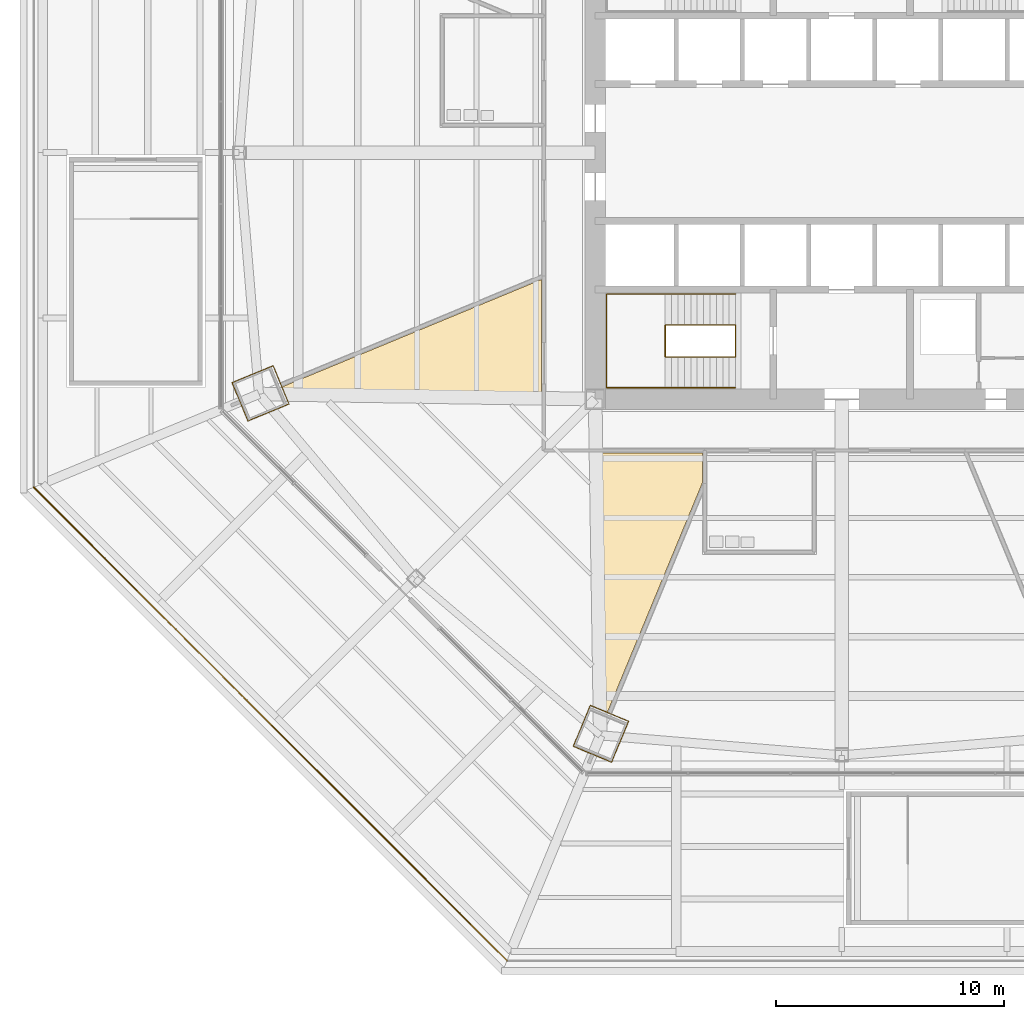
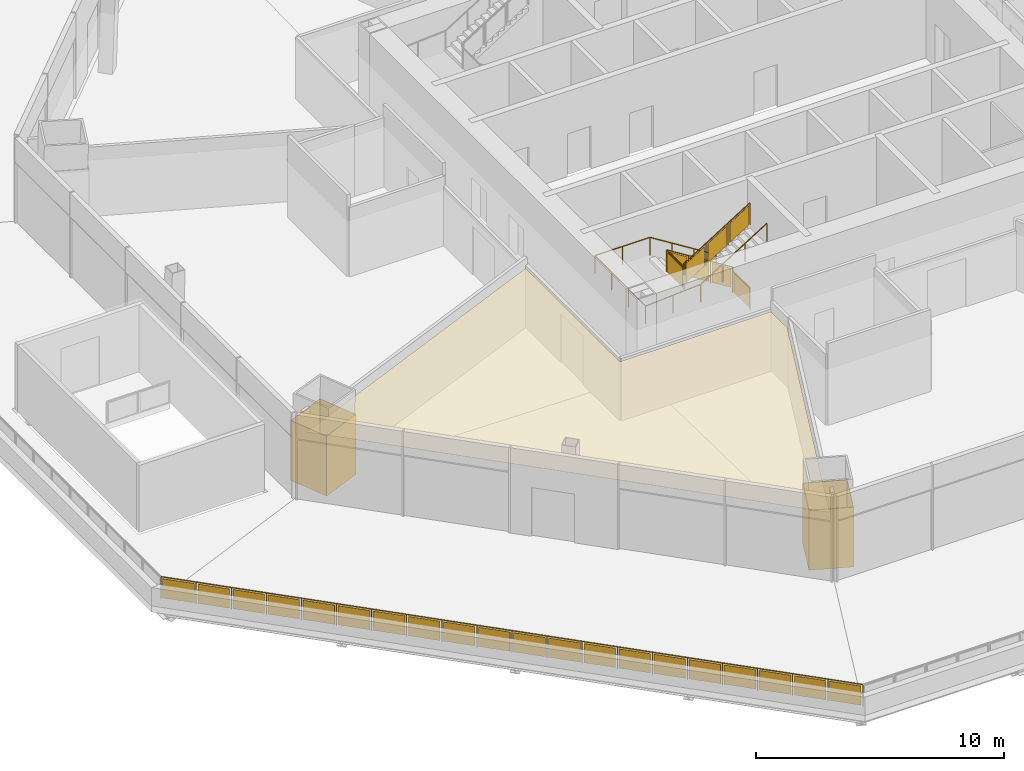
# One storey, part 19 of 25: 3 coverings, 3 railings.
"""IFC4 building model written with IfcOpenShell, lengths in metres."""

from ifc_helpers import new_model, si_unit, direction, frame, origin, origin_2d, place, context, subcontext, project, spatial, polyline, circle, outline, extrude, material, layer, layer_set, type_object, element, save


model = new_model("IFC4")

# Units and contexts
model_context = context("Model", 3, precision=1e-05, world=origin(), true_north=direction((0.0, 1.0)))
body_context = subcontext(model_context, "Body", "Model", "MODEL_VIEW")
ifc_project = project(units=[si_unit("LENGTHUNIT", "METRE"), si_unit("AREAUNIT", "SQUARE_METRE"), si_unit("VOLUMEUNIT", "CUBIC_METRE"), si_unit("PLANEANGLEUNIT", "RADIAN"), si_unit("MASSUNIT", "GRAM", prefix="KILO")], contexts=[model_context])

# Site, building, storey
site_placement = place(None, origin())
site = spatial("IfcSite", under=ifc_project, at=site_placement, CompositionType="ELEMENT")
building_placement = place(site_placement, origin())
building = spatial("IfcBuilding", under=site, at=building_placement, Name="Mashrafa Tower", CompositionType="ELEMENT")
storey_placement = place(building_placement, frame((0.0, 0.0, 28.800048828125)))
storey = spatial("IfcBuildingStorey", under=building, at=storey_placement, Name="L05", CompositionType="ELEMENT", Elevation=28.800048828125)

# Coverings
ifc_material_1 = material(Name="Gypsum board")
ifc_layer_1 = layer(ifc_material_1, 0.014892578125)
ifc_layer_set_1 = layer_set([ifc_layer_1], Name="Column casing plasterboard 15")
covering_type_1 = type_object("IfcCoveringType", Name="Column casing plasterboard 15", PredefinedType="CLADDING", material=ifc_layer_set_1)
covering_1_placement = place(storey_placement, origin())
element("IfcCovering", 1, at=covering_1_placement, inside=storey, type_object=covering_type_1, Name="Column casing L05-005", PredefinedType="CLADDING", context=body_context, shape_type="SweptSolid", body=[
    extrude(outline(polyline([(-26.7177734375, -10.076416015625), (-26.5849609375, -10.021484375), (-24.907470703125, -9.32666015625), (-24.20703125, -11.017333984375), (-24.33984375, -11.072265625), (-26.017333984375, -11.76708984375), (-26.7177734375, -10.076416015625)]), holes=[polyline([(-24.345458984375, -11.058349609375), (-24.226806640625, -11.00927734375), (-24.91552734375, -9.34619140625), (-26.579345703125, -10.035400390625), (-26.697998046875, -10.084716796875), (-26.00927734375, -11.74755859375), (-24.345458984375, -11.058349609375)])]), origin(), (0.0, 0.0, 1.0), 2.949951171875),
])
covering_2_placement = place(storey_placement, origin())
element("IfcCovering", 2, at=covering_2_placement, inside=storey, type_object=covering_type_1, Name="Column casing L05-006", PredefinedType="CLADDING", context=body_context, shape_type="SweptSolid", body=[
    extrude(outline(polyline([(-11.76708984375, -26.017333984375), (-11.072265625, -24.33984375), (-11.017333984375, -24.20703125), (-9.32666015625, -24.907470703125), (-10.021484375, -26.5849609375), (-10.076416015625, -26.7177734375), (-11.76708984375, -26.017333984375)]), holes=[polyline([(-10.035400390625, -26.579345703125), (-9.34619140625, -24.91552734375), (-11.00927734375, -24.226806640625), (-11.058349609375, -24.345458984375), (-11.74755859375, -26.00927734375), (-10.084716796875, -26.697998046875), (-10.035400390625, -26.579345703125)])]), origin(), (0.0, 0.0, 1.0), 2.949951171875),
])

# Railings
ifc_material_2 = material(Name="Stainless steel guard with glass infill", Category="steel")
railing_type_1 = type_object("IfcRailingType", Name="Roof garden guard 1100 high", PredefinedType="GUARDRAIL", material=ifc_material_2)
railing_1_placement = place(storey_placement, frame((-35.39990234375, -14.6630859375, 0.0)))
element("IfcRailing", 3, at=railing_1_placement, inside=storey, type_object=railing_type_1, Name="Roof garden guard L05 south-west", PredefinedType="GUARDRAIL", context=body_context, shape_type="SweptSolid", body=[
    extrude(circle(Radius=0.02392578125, at=origin_2d()), frame((0.0, 0.0, 1.076171875), z_axis=(0.707106781187, -0.707106781187, 0.0), x_axis=(0.707106781187, 0.707106781187, 0.0)), (0.0, 0.0, 1.0), 29.326171875),
    extrude(circle(Radius=0.02099609375, at=origin_2d()), origin(), (0.0, 0.0, 1.0), 1.052001953125),
    extrude(circle(Radius=0.02099609375, at=origin_2d()), frame((1.036865234375, -1.036865234375, 0.0)), (0.0, 0.0, 1.0), 1.052001953125),
    extrude(circle(Radius=0.02099609375, at=origin_2d()), frame((2.07373046875, -2.07373046875, 0.0)), (0.0, 0.0, 1.0), 1.052001953125),
    extrude(circle(Radius=0.02099609375, at=origin_2d()), frame((3.110595703125, -3.110595703125, 0.0)), (0.0, 0.0, 1.0), 1.052001953125),
    extrude(circle(Radius=0.02099609375, at=origin_2d()), frame((4.1474609375, -4.1474609375, 0.0)), (0.0, 0.0, 1.0), 1.052001953125),
    extrude(circle(Radius=0.02099609375, at=origin_2d()), frame((5.18408203125, -5.18408203125, 0.0)), (0.0, 0.0, 1.0), 1.052001953125),
    extrude(circle(Radius=0.02099609375, at=origin_2d()), frame((6.220947265625, -6.220947265625, 0.0)), (0.0, 0.0, 1.0), 1.052001953125),
    extrude(circle(Radius=0.02099609375, at=origin_2d()), frame((7.2578125, -7.2578125, 0.0)), (0.0, 0.0, 1.0), 1.052001953125),
    extrude(circle(Radius=0.02099609375, at=origin_2d()), frame((8.294677734375, -8.294677734375, 0.0)), (0.0, 0.0, 1.0), 1.052001953125),
    extrude(circle(Radius=0.02099609375, at=origin_2d()), frame((9.33154296875, -9.33154296875, 0.0)), (0.0, 0.0, 1.0), 1.052001953125),
    extrude(circle(Radius=0.02099609375, at=origin_2d()), frame((10.368408203125, -10.368408203125, 0.0)), (0.0, 0.0, 1.0), 1.052001953125),
    extrude(circle(Radius=0.02099609375, at=origin_2d()), frame((11.4052734375, -11.4052734375, 0.0)), (0.0, 0.0, 1.0), 1.052001953125),
    extrude(circle(Radius=0.02099609375, at=origin_2d()), frame((12.442138671875, -12.442138671875, 0.0)), (0.0, 0.0, 1.0), 1.052001953125),
    extrude(circle(Radius=0.02099609375, at=origin_2d()), frame((13.47900390625, -13.47900390625, 0.0)), (0.0, 0.0, 1.0), 1.052001953125),
    extrude(circle(Radius=0.02099609375, at=origin_2d()), frame((14.515869140625, -14.515869140625, 0.0)), (0.0, 0.0, 1.0), 1.052001953125),
    extrude(circle(Radius=0.02099609375, at=origin_2d()), frame((15.552734375, -15.552734375, 0.0)), (0.0, 0.0, 1.0), 1.052001953125),
    extrude(circle(Radius=0.02099609375, at=origin_2d()), frame((16.58935546875, -16.58935546875, 0.0)), (0.0, 0.0, 1.0), 1.052001953125),
    extrude(circle(Radius=0.02099609375, at=origin_2d()), frame((17.626220703125, -17.626220703125, 0.0)), (0.0, 0.0, 1.0), 1.052001953125),
    extrude(circle(Radius=0.02099609375, at=origin_2d()), frame((18.6630859375, -18.6630859375, 0.0)), (0.0, 0.0, 1.0), 1.052001953125),
    extrude(circle(Radius=0.02099609375, at=origin_2d()), frame((19.699951171875, -19.699951171875, 0.0)), (0.0, 0.0, 1.0), 1.052001953125),
    extrude(circle(Radius=0.02099609375, at=origin_2d()), frame((20.73681640625, -20.73681640625, 0.0)), (0.0, 0.0, 1.0), 1.052001953125),
    extrude(outline(polyline([(0.071044921875, 0.050048828125), (1.395263671875, 0.050048828125), (1.395263671875, 1.001953125), (0.071044921875, 1.001953125), (0.071044921875, 0.050048828125)])), frame((-0.004150390625, -0.004150390625, 0.0), z_axis=(-0.707106781187, -0.707106781187, 0.0), x_axis=(0.707106781187, -0.707106781187, 0.0)), (0.0, 0.0, 1.0), 0.011962890625),
    extrude(outline(polyline([(1.537353515625, 0.050048828125), (2.861572265625, 0.050048828125), (2.861572265625, 1.001953125), (1.537353515625, 1.001953125), (1.537353515625, 0.050048828125)])), frame((-0.004150390625, -0.004150390625, 0.0), z_axis=(-0.707106781187, -0.707106781187, 0.0), x_axis=(0.707106781187, -0.707106781187, 0.0)), (0.0, 0.0, 1.0), 0.011962890625),
    extrude(outline(polyline([(3.003662109375, 0.050048828125), (4.327880859375, 0.050048828125), (4.327880859375, 1.001953125), (3.003662109375, 1.001953125), (3.003662109375, 0.050048828125)])), frame((-0.004150390625, -0.004150390625, 0.0), z_axis=(-0.707106781187, -0.707106781187, 0.0), x_axis=(0.707106781187, -0.707106781187, 0.0)), (0.0, 0.0, 1.0), 0.011962890625),
    extrude(outline(polyline([(4.469970703125, 0.050048828125), (5.794189453125, 0.050048828125), (5.794189453125, 1.001953125), (4.469970703125, 1.001953125), (4.469970703125, 0.050048828125)])), frame((-0.004150390625, -0.004150390625, 0.0), z_axis=(-0.707106781187, -0.707106781187, 0.0), x_axis=(0.707106781187, -0.707106781187, 0.0)), (0.0, 0.0, 1.0), 0.011962890625),
    extrude(outline(polyline([(5.936279296875, 0.050048828125), (7.260498046875, 0.050048828125), (7.260498046875, 1.001953125), (5.936279296875, 1.001953125), (5.936279296875, 0.050048828125)])), frame((-0.004150390625, -0.004150390625, 0.0), z_axis=(-0.707106781187, -0.707106781187, 0.0), x_axis=(0.707106781187, -0.707106781187, 0.0)), (0.0, 0.0, 1.0), 0.011962890625),
    extrude(outline(polyline([(7.402587890625, 0.050048828125), (8.726806640625, 0.050048828125), (8.726806640625, 1.001953125), (7.402587890625, 1.001953125), (7.402587890625, 0.050048828125)])), frame((-0.004150390625, -0.004150390625, 0.0), z_axis=(-0.707106781187, -0.707106781187, 0.0), x_axis=(0.707106781187, -0.707106781187, 0.0)), (0.0, 0.0, 1.0), 0.011962890625),
    extrude(outline(polyline([(8.868896484375, 0.050048828125), (10.193115234375, 0.050048828125), (10.193115234375, 1.001953125), (8.868896484375, 1.001953125), (8.868896484375, 0.050048828125)])), frame((-0.004150390625, -0.004150390625, 0.0), z_axis=(-0.707106781187, -0.707106781187, 0.0), x_axis=(0.707106781187, -0.707106781187, 0.0)), (0.0, 0.0, 1.0), 0.011962890625),
    extrude(outline(polyline([(10.335205078125, 0.050048828125), (11.659423828125, 0.050048828125), (11.659423828125, 1.001953125), (10.335205078125, 1.001953125), (10.335205078125, 0.050048828125)])), frame((-0.004150390625, -0.004150390625, 0.0), z_axis=(-0.707106781187, -0.707106781187, 0.0), x_axis=(0.707106781187, -0.707106781187, 0.0)), (0.0, 0.0, 1.0), 0.011962890625),
    extrude(outline(polyline([(11.801513671875, 0.050048828125), (13.125732421875, 0.050048828125), (13.125732421875, 1.001953125), (11.801513671875, 1.001953125), (11.801513671875, 0.050048828125)])), frame((-0.004150390625, -0.004150390625, 0.0), z_axis=(-0.707106781187, -0.707106781187, 0.0), x_axis=(0.707106781187, -0.707106781187, 0.0)), (0.0, 0.0, 1.0), 0.011962890625),
    extrude(outline(polyline([(13.267822265625, 0.050048828125), (14.592041015625, 0.050048828125), (14.592041015625, 1.001953125), (13.267822265625, 1.001953125), (13.267822265625, 0.050048828125)])), frame((-0.004150390625, -0.004150390625, 0.0), z_axis=(-0.707106781187, -0.707106781187, 0.0), x_axis=(0.707106781187, -0.707106781187, 0.0)), (0.0, 0.0, 1.0), 0.011962890625),
    extrude(outline(polyline([(14.734130859375, 0.050048828125), (16.058349609375, 0.050048828125), (16.058349609375, 1.001953125), (14.734130859375, 1.001953125), (14.734130859375, 0.050048828125)])), frame((-0.004150390625, -0.004150390625, 0.0), z_axis=(-0.707106781187, -0.707106781187, 0.0), x_axis=(0.707106781187, -0.707106781187, 0.0)), (0.0, 0.0, 1.0), 0.011962890625),
    extrude(outline(polyline([(16.200439453125, 0.050048828125), (17.524658203125, 0.050048828125), (17.524658203125, 1.001953125), (16.200439453125, 1.001953125), (16.200439453125, 0.050048828125)])), frame((-0.004150390625, -0.004150390625, 0.0), z_axis=(-0.707106781187, -0.707106781187, 0.0), x_axis=(0.707106781187, -0.707106781187, 0.0)), (0.0, 0.0, 1.0), 0.011962890625),
    extrude(outline(polyline([(17.666748046875, 0.050048828125), (18.9912109375, 0.050048828125), (18.9912109375, 1.001953125), (17.666748046875, 1.001953125), (17.666748046875, 0.050048828125)])), frame((-0.004150390625, -0.004150390625, 0.0), z_axis=(-0.707106781187, -0.707106781187, 0.0), x_axis=(0.707106781187, -0.707106781187, 0.0)), (0.0, 0.0, 1.0), 0.011962890625),
    extrude(outline(polyline([(19.133056640625, 0.050048828125), (20.45751953125, 0.050048828125), (20.45751953125, 1.001953125), (19.133056640625, 1.001953125), (19.133056640625, 0.050048828125)])), frame((-0.004150390625, -0.004150390625, 0.0), z_axis=(-0.707106781187, -0.707106781187, 0.0), x_axis=(0.707106781187, -0.707106781187, 0.0)), (0.0, 0.0, 1.0), 0.011962890625),
    extrude(outline(polyline([(20.599365234375, 0.050048828125), (21.923828125, 0.050048828125), (21.923828125, 1.001953125), (20.599365234375, 1.001953125), (20.599365234375, 0.050048828125)])), frame((-0.004150390625, -0.004150390625, 0.0), z_axis=(-0.707106781187, -0.707106781187, 0.0), x_axis=(0.707106781187, -0.707106781187, 0.0)), (0.0, 0.0, 1.0), 0.011962890625),
    extrude(outline(polyline([(22.065673828125, 0.050048828125), (23.39013671875, 0.050048828125), (23.39013671875, 1.001953125), (22.065673828125, 1.001953125), (22.065673828125, 0.050048828125)])), frame((-0.004150390625, -0.004150390625, 0.0), z_axis=(-0.707106781187, -0.707106781187, 0.0), x_axis=(0.707106781187, -0.707106781187, 0.0)), (0.0, 0.0, 1.0), 0.011962890625),
    extrude(outline(polyline([(23.531982421875, 0.050048828125), (24.8564453125, 0.050048828125), (24.8564453125, 1.001953125), (23.531982421875, 1.001953125), (23.531982421875, 0.050048828125)])), frame((-0.004150390625, -0.004150390625, 0.0), z_axis=(-0.707106781187, -0.707106781187, 0.0), x_axis=(0.707106781187, -0.707106781187, 0.0)), (0.0, 0.0, 1.0), 0.011962890625),
    extrude(outline(polyline([(24.998291015625, 0.050048828125), (26.32275390625, 0.050048828125), (26.32275390625, 1.001953125), (24.998291015625, 1.001953125), (24.998291015625, 0.050048828125)])), frame((-0.004150390625, -0.004150390625, 0.0), z_axis=(-0.707106781187, -0.707106781187, 0.0), x_axis=(0.707106781187, -0.707106781187, 0.0)), (0.0, 0.0, 1.0), 0.011962890625),
    extrude(outline(polyline([(26.464599609375, 0.050048828125), (27.7890625, 0.050048828125), (27.7890625, 1.001953125), (26.464599609375, 1.001953125), (26.464599609375, 0.050048828125)])), frame((-0.004150390625, -0.004150390625, 0.0), z_axis=(-0.707106781187, -0.707106781187, 0.0), x_axis=(0.707106781187, -0.707106781187, 0.0)), (0.0, 0.0, 1.0), 0.011962890625),
    extrude(outline(polyline([(27.930908203125, 0.050048828125), (29.25537109375, 0.050048828125), (29.25537109375, 1.001953125), (27.930908203125, 1.001953125), (27.930908203125, 0.050048828125)])), frame((-0.004150390625, -0.004150390625, 0.0), z_axis=(-0.707106781187, -0.707106781187, 0.0), x_axis=(0.707106781187, -0.707106781187, 0.0)), (0.0, 0.0, 1.0), 0.011962890625),
])
ifc_material_3 = material(Name="Steel guard with glass infill", Category="steel")
railing_type_2 = type_object("IfcRailingType", Name="Stair guard 1100", PredefinedType="GUARDRAIL", material=ifc_material_3)
railing_2_placement = place(storey_placement, frame((-4.64990234375, -8.949951171875, 0.0)))
element("IfcRailing", 4, at=railing_2_placement, inside=storey, type_object=railing_type_2, Name="Stair S3 guard L05", PredefinedType="GUARDRAIL", context=body_context, shape_type="SweptSolid", body=[
    extrude(circle(Radius=0.02392578125, at=origin_2d()), frame((0.0, 0.0, 1.076171875), z_axis=(0.0, 1.0, 0.0), x_axis=(-1.0, 0.0, 0.0)), (0.0, 0.0, 1.0), 1.39990234375),
    extrude(circle(Radius=0.02392578125, at=origin_2d()), frame((0.0, 1.39990234375, 1.076171875), z_axis=(0.0, 0.0, 1.0), x_axis=(1.0, 0.0, 0.0)), (0.0, 0.0, 1.0), 0.175048828125),
    extrude(circle(Radius=0.02392578125, at=origin_2d()), frame((0.0, 1.39990234375, 1.2509765625), z_axis=(-0.848028513186, 0.0, 0.529950602248), x_axis=(0.0, -1.0, 0.0)), (0.0, 0.0, 1.0), 3.632080078125),
    extrude(circle(Radius=0.02392578125, at=origin_2d()), frame((-3.080078125, 1.39990234375, 3.17578125), z_axis=(0.0, -1.0, 0.0), x_axis=(1.0, 0.0, 0.0)), (0.0, 0.0, 1.0), 1.39990234375),
    extrude(circle(Radius=0.02392578125, at=origin_2d()), frame((-3.080078125, 0.0, 3.17578125), z_axis=(0.0, 0.0, 1.0), x_axis=(1.0, 0.0, 0.0)), (0.0, 0.0, 1.0), 0.175048828125),
    extrude(circle(Radius=0.02392578125, at=origin_2d()), frame((-3.080078125, 0.0, 3.35107421875), z_axis=(0.847998304005, 0.0, 0.529998940003), x_axis=(0.0, 1.0, 0.0)), (0.0, 0.0, 1.0), 3.632080078125),
    extrude(circle(Radius=0.02099609375, at=origin_2d()), origin(), (0.0, 0.0, 1.0), 1.052001953125),
    extrude(circle(Radius=0.02099609375, at=origin_2d()), frame((0.0, 1.39990234375, 0.0)), (0.0, 0.0, 1.0), 1.052001953125),
    extrude(circle(Radius=0.02099609375, at=origin_2d()), frame((0.0, 1.39990234375, 0.175048828125)), (0.0, 0.0, 1.0), 1.052001953125),
    extrude(circle(Radius=0.02099609375, at=origin_2d()), frame((-1.026611328125, 1.39990234375, 0.816650390625)), (0.0, 0.0, 1.0), 1.052001953125),
    extrude(circle(Radius=0.02099609375, at=origin_2d()), frame((-2.053466796875, 1.39990234375, 1.458251953125)), (0.0, 0.0, 1.0), 1.052001953125),
    extrude(circle(Radius=0.02099609375, at=origin_2d()), frame((-3.080078125, 1.39990234375, 2.099853515625)), (0.0, 0.0, 1.0), 1.052001953125),
    extrude(circle(Radius=0.02099609375, at=origin_2d()), frame((-3.080078125, 0.0, 2.099853515625)), (0.0, 0.0, 1.0), 1.052001953125),
    extrude(circle(Radius=0.02099609375, at=origin_2d()), frame((-3.080078125, 0.0, 2.27490234375)), (0.0, 0.0, 1.0), 1.052001953125),
    extrude(circle(Radius=0.02099609375, at=origin_2d()), frame((-2.053466796875, 0.0, 2.91650390625)), (0.0, 0.0, 1.0), 1.052001953125),
    extrude(circle(Radius=0.02099609375, at=origin_2d()), frame((-1.026611328125, 0.0, 3.558349609375)), (0.0, 0.0, 1.0), 1.052001953125),
    extrude(circle(Radius=0.02099609375, at=origin_2d()), frame((0.0, 0.0, 4.199951171875)), (0.0, 0.0, 1.0), 1.052001953125),
    extrude(outline(polyline([(0.071044921875, 0.050048828125), (1.328857421875, 0.050048828125), (1.328857421875, 1.001953125), (0.071044921875, 1.001953125), (0.071044921875, 0.050048828125)])), frame((0.006103515625, 0.0, 0.0), z_axis=(1.0, 0.0, 0.0), x_axis=(0.0, 1.0, 0.0)), (0.0, 0.0, 1.0), 0.011962890625),
    extrude(outline(polyline([(0.071044921875, 0.094482421875), (0.955810546875, 0.647216796875), (0.955810546875, 1.59912109375), (0.071044921875, 1.04638671875), (0.071044921875, 0.094482421875)])), frame((0.0, 1.406005859375, 0.175048828125), z_axis=(0.0, 1.0, 0.0), x_axis=(-1.0, 0.0, 0.0)), (0.0, 0.0, 1.0), 0.011962890625),
    extrude(outline(polyline([(1.09765625, 0.736083984375), (1.982421875, 1.288818359375), (1.982421875, 2.24072265625), (1.09765625, 1.68798828125), (1.09765625, 0.736083984375)])), frame((0.0, 1.406005859375, 0.175048828125), z_axis=(0.0, 1.0, 0.0), x_axis=(-1.0, 0.0, 0.0)), (0.0, 0.0, 1.0), 0.011962890625),
    extrude(outline(polyline([(2.124267578125, 1.377685546875), (3.009033203125, 1.930419921875), (3.009033203125, 2.88232421875), (2.124267578125, 2.32958984375), (2.124267578125, 1.377685546875)])), frame((0.0, 1.406005859375, 0.175048828125), z_axis=(0.0, 1.0, 0.0), x_axis=(-1.0, 0.0, 0.0)), (0.0, 0.0, 1.0), 0.011962890625),
    extrude(outline(polyline([(0.071044921875, 0.050048828125), (1.328857421875, 0.050048828125), (1.328857421875, 1.001953125), (0.071044921875, 1.001953125), (0.071044921875, 0.050048828125)])), frame((-3.086181640625, 1.39990234375, 2.099853515625), z_axis=(-1.0, 0.0, 0.0), x_axis=(0.0, -1.0, 0.0)), (0.0, 0.0, 1.0), 0.011962890625),
    extrude(outline(polyline([(0.071044921875, 0.094482421875), (0.955810546875, 0.647216796875), (0.955810546875, 1.599365234375), (0.071044921875, 1.04638671875), (0.071044921875, 0.094482421875)])), frame((-3.080078125, -0.006103515625, 2.27490234375), z_axis=(0.0, -1.0, 0.0), x_axis=(1.0, 0.0, 0.0)), (0.0, 0.0, 1.0), 0.011962890625),
    extrude(outline(polyline([(1.09765625, 0.736083984375), (1.982421875, 1.2890625), (1.982421875, 2.240966796875), (1.09765625, 1.68798828125), (1.09765625, 0.736083984375)])), frame((-3.080078125, -0.006103515625, 2.27490234375), z_axis=(0.0, -1.0, 0.0), x_axis=(1.0, 0.0, 0.0)), (0.0, 0.0, 1.0), 0.011962890625),
    extrude(outline(polyline([(2.124267578125, 1.377685546875), (3.009033203125, 1.9306640625), (3.009033203125, 2.882568359375), (2.124267578125, 2.329833984375), (2.124267578125, 1.377685546875)])), frame((-3.080078125, -0.006103515625, 2.27490234375), z_axis=(0.0, -1.0, 0.0), x_axis=(1.0, 0.0, 0.0)), (0.0, 0.0, 1.0), 0.011962890625),
])
ifc_material_4 = material(Name="Steel", Category="steel")
railing_type_3 = type_object("IfcRailingType", Name="Stair handrail 900", PredefinedType="HANDRAIL", material=ifc_material_4)
railing_3_placement = place(storey_placement, frame((-4.64990234375, -6.199951171875, 0.175048828125)))
element("IfcRailing", 5, at=railing_3_placement, inside=storey, type_object=railing_type_3, Name="Stair S3 handrail L05", PredefinedType="HANDRAIL", context=body_context, shape_type="SweptSolid", body=[
    extrude(circle(Radius=0.02392578125, at=origin_2d()), frame((0.0, 0.0, 0.8759765625), z_axis=(-0.848028513186, 0.0, 0.529950602248), x_axis=(0.0, -1.0, 0.0)), (0.0, 0.0, 1.0), 3.632080078125),
    extrude(circle(Radius=0.02392578125, at=origin_2d()), frame((-3.080078125, 0.0, 2.80078125), z_axis=(-1.0, 0.0, 0.0), x_axis=(0.0, -1.0, 0.0)), (0.0, 0.0, 1.0), 2.570068359375),
    extrude(circle(Radius=0.02392578125, at=origin_2d()), frame((-5.650146484375, 0.0, 2.80078125), z_axis=(0.0, -1.0, 0.0), x_axis=(1.0, 0.0, 0.0)), (0.0, 0.0, 1.0), 4.10009765625),
    extrude(circle(Radius=0.02392578125, at=origin_2d()), frame((-5.650146484375, -4.10009765625, 2.80078125), z_axis=(0.997688514158, 0.0, 0.067953136188), x_axis=(0.0, 1.0, 0.0)), (0.0, 0.0, 1.0), 2.575927734375),
    extrude(circle(Radius=0.02392578125, at=origin_2d()), frame((-3.080078125, -4.10009765625, 2.9755859375), z_axis=(0.847998304005, 0.0, 0.529998940003), x_axis=(0.0, 1.0, 0.0)), (0.0, 0.0, 1.0), 3.632080078125),
    extrude(circle(Radius=0.02099609375, at=origin_2d()), origin(), (0.0, 0.0, 1.0), 0.851806640625),
    extrude(circle(Radius=0.02099609375, at=origin_2d()), frame((-1.026611328125, 0.0, 0.6416015625)), (0.0, 0.0, 1.0), 0.851806640625),
    extrude(circle(Radius=0.02099609375, at=origin_2d()), frame((-2.053466796875, 0.0, 1.283203125)), (0.0, 0.0, 1.0), 0.851806640625),
    extrude(circle(Radius=0.02099609375, at=origin_2d()), frame((-3.080078125, 0.0, 1.9248046875)), (0.0, 0.0, 1.0), 0.851806640625),
    extrude(circle(Radius=0.02099609375, at=origin_2d()), frame((-4.365234375, 0.0, 1.9248046875)), (0.0, 0.0, 1.0), 0.851806640625),
    extrude(circle(Radius=0.02099609375, at=origin_2d()), frame((-5.650146484375, 0.0, 1.9248046875)), (0.0, 0.0, 1.0), 0.851806640625),
    extrude(circle(Radius=0.02099609375, at=origin_2d()), frame((-5.650146484375, -1.36669921875, 1.9248046875)), (0.0, 0.0, 1.0), 0.851806640625),
    extrude(circle(Radius=0.02099609375, at=origin_2d()), frame((-5.650146484375, -2.7333984375, 1.9248046875)), (0.0, 0.0, 1.0), 0.851806640625),
    extrude(circle(Radius=0.02099609375, at=origin_2d()), frame((-5.650146484375, -4.10009765625, 1.9248046875)), (0.0, 0.0, 1.0), 0.851806640625),
    extrude(circle(Radius=0.02099609375, at=origin_2d()), frame((-4.365234375, -4.10009765625, 2.01220703125)), (0.0, 0.0, 1.0), 0.851806640625),
    extrude(circle(Radius=0.02099609375, at=origin_2d()), frame((-3.080078125, -4.10009765625, 2.099853515625)), (0.0, 0.0, 1.0), 0.851806640625),
    extrude(circle(Radius=0.02099609375, at=origin_2d()), frame((-2.053466796875, -4.10009765625, 2.741455078125)), (0.0, 0.0, 1.0), 0.851806640625),
    extrude(circle(Radius=0.02099609375, at=origin_2d()), frame((-1.026611328125, -4.10009765625, 3.38330078125)), (0.0, 0.0, 1.0), 0.851806640625),
    extrude(circle(Radius=0.02099609375, at=origin_2d()), frame((0.0, -4.10009765625, 4.02490234375)), (0.0, 0.0, 1.0), 0.851806640625),
])

# Covering
ifc_material_5 = material(Name="Gypsum board on suspension grid")
ifc_layer_2 = layer(ifc_material_5, 0.012451171875)
ifc_layer_set_2 = layer_set([ifc_layer_2], Name="Suspended ceiling gypsum 12.5")
covering_type_2 = type_object("IfcCoveringType", Name="Suspended ceiling gypsum 12.5", PredefinedType="CEILING", material=ifc_layer_set_2)
covering_3_placement = place(storey_placement, frame((0.0, 0.0, 2.949951171875)))
element("IfcCovering", 6, at=covering_3_placement, inside=storey, type_object=covering_type_2, Name="Ceiling Winter Garden Reading Room South-West L05", PredefinedType="CEILING", context=body_context, shape_type="SweptSolid", body=[
    extrude(outline(polyline([(-13.14990234375, -5.55517578125), (-13.14990234375, -13.14990234375), (-6.10009765625, -13.14990234375), (-6.10009765625, -14.46533203125), (-11.115234375, -26.573486328125), (-26.573486328125, -11.115234375), (-13.14990234375, -5.55517578125)])), origin(), (0.0, 0.0, 1.0), 0.012451171875),
])

save(model, "model.ifc")
